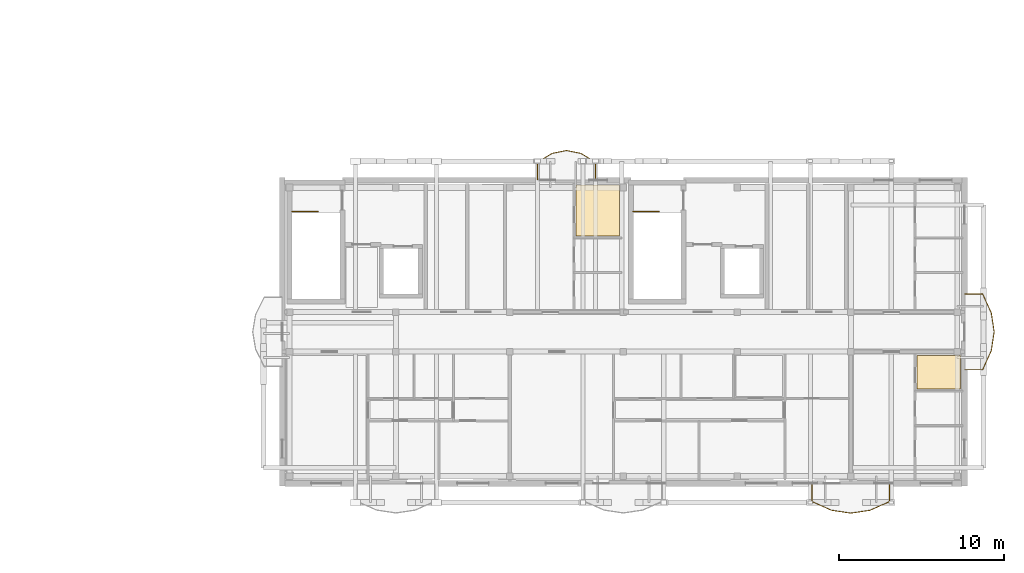
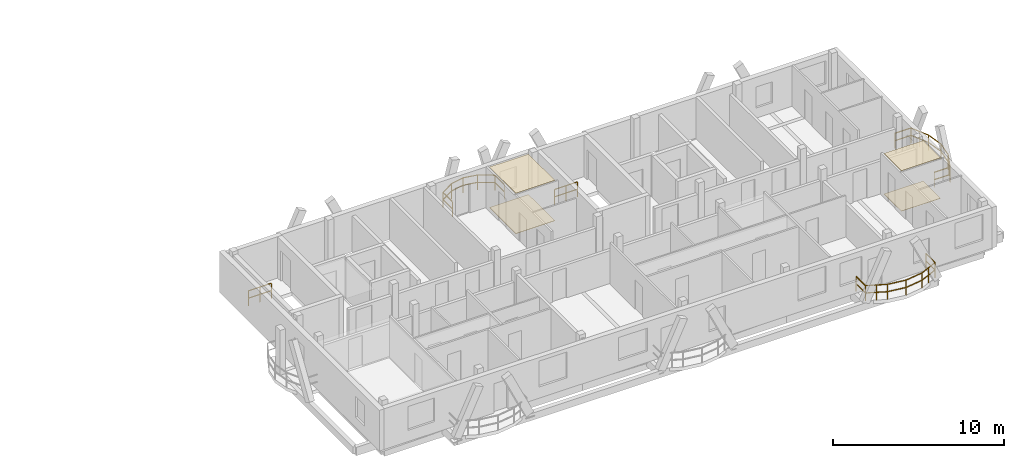
# One storey, part 39 of 41: 5 railings, 4 coverings.
"""IFC4 building model written with IfcOpenShell, lengths in metres."""

from ifc_helpers import new_model, si_unit, direction, frame, origin, origin_2d, place, context, subcontext, project, spatial, polyline, rectangle, outline, extrude, material, layer, layer_set, type_object, element, save


model = new_model("IFC4")

# Units and contexts
model_context = context("Model", 3, precision=1e-05, world=origin(), true_north=direction((0.0, 1.0)))
body_context = subcontext(model_context, "Body", "Model", "MODEL_VIEW")
ifc_project = project(units=[si_unit("LENGTHUNIT", "METRE"), si_unit("AREAUNIT", "SQUARE_METRE"), si_unit("VOLUMEUNIT", "CUBIC_METRE"), si_unit("PLANEANGLEUNIT", "RADIAN"), si_unit("MASSUNIT", "GRAM", prefix="KILO")], contexts=[model_context])

# Site, building, storey
site_placement = place(None, origin())
site = spatial("IfcSite", under=ifc_project, at=site_placement, CompositionType="ELEMENT")
building_placement = place(site_placement, origin())
building = spatial("IfcBuilding", under=site, at=building_placement, Name="Zavelmont Quarter", CompositionType="ELEMENT")
storey_placement = place(building_placement, frame((0.0, 0.0, 27.199951171875)))
storey = spatial("IfcBuildingStorey", under=building, at=storey_placement, Name="L08", CompositionType="ELEMENT", Elevation=27.199951171875)

# Coverings
ifc_material_1 = material(Name="Perforated acoustic gypsum board")
ifc_layer_1 = layer(ifc_material_1, 0.02490234375)
ifc_layer_set_1 = layer_set([ifc_layer_1], Name="Perforated acoustic gypsum board")
covering_type_1 = type_object("IfcCoveringType", Name="CV-CL01", PredefinedType="CEILING", material=ifc_layer_set_1)
covering_1_placement = place(storey_placement, frame((0.0, 0.0, 2.885009765625)))
element("IfcCovering", 1, at=covering_1_placement, inside=storey, type_object=covering_type_1, Name="L08 Kitchen acoustic ceiling", PredefinedType="CEILING", context=body_context, shape_type="SweptSolid", body=[
    extrude(outline(polyline([(165.1298828125, 7.77001953125), (167.320068359375, 7.77001953125), (167.320068359375, 7.760009765625), (167.77001953125, 7.760009765625), (167.77001953125, 5.72998046875), (165.1298828125, 5.72998046875), (165.1298828125, 7.77001953125)])), origin(), (0.0, 0.0, 1.0), 0.025146484375),
])
covering_2_placement = place(storey_placement, frame((0.0, 0.0, 2.885009765625)))
element("IfcCovering", 2, at=covering_2_placement, inside=storey, type_object=covering_type_1, Name="L08 Single Bedroom acoustic ceiling", PredefinedType="CEILING", context=body_context, shape_type="SweptSolid", body=[
    extrude(outline(polyline([(144.429931640625, 18.1201171875), (147.06005859375, 18.1201171875), (147.06005859375, 17.719970703125), (147.070068359375, 17.719970703125), (147.070068359375, 15.030029296875), (144.429931640625, 15.030029296875), (144.429931640625, 18.1201171875)])), origin(), (0.0, 0.0, 1.0), 0.025146484375),
])
ifc_material_2 = material(Name="Engineered European oak parquet")
ifc_layer_2 = layer(ifc_material_2, 0.02197265625)
ifc_layer_set_2 = layer_set([ifc_layer_2], Name="Engineered European oak parquet")
covering_type_2 = type_object("IfcCoveringType", Name="CV-FL01", PredefinedType="FLOORING", material=ifc_layer_set_2)
covering_3_placement = place(storey_placement, origin())
element("IfcCovering", 3, at=covering_3_placement, inside=storey, type_object=covering_type_2, Name="L08 Kitchen floor finish", PredefinedType="FLOORING", context=body_context, shape_type="SweptSolid", body=[
    extrude(outline(polyline([(165.1298828125, 7.77001953125), (167.320068359375, 7.77001953125), (167.320068359375, 7.760009765625), (167.77001953125, 7.760009765625), (167.77001953125, 5.72998046875), (165.1298828125, 5.72998046875), (165.1298828125, 7.77001953125)])), origin(), (0.0, 0.0, 1.0), 0.02197265625),
])
covering_4_placement = place(storey_placement, origin())
element("IfcCovering", 4, at=covering_4_placement, inside=storey, type_object=covering_type_2, Name="L08 Single Bedroom floor finish", PredefinedType="FLOORING", context=body_context, shape_type="SweptSolid", body=[
    extrude(outline(polyline([(144.429931640625, 18.1201171875), (147.06005859375, 18.1201171875), (147.06005859375, 17.719970703125), (147.070068359375, 17.719970703125), (147.070068359375, 15.030029296875), (144.429931640625, 15.030029296875), (144.429931640625, 18.1201171875)])), origin(), (0.0, 0.0, 1.0), 0.02197265625),
])

# Railings
ifc_material_3 = material(Name="Powder-coated steel and tempered double safety glass", Category="steel")
railing_type_1 = type_object("IfcRailingType", Name="RL-BAL1", PredefinedType="BALUSTRADE", material=ifc_material_3)
railing_1_placement = place(storey_placement, frame((158.747314453125, -0.02001953125, 0.0)))
element("IfcRailing", 5, at=railing_1_placement, inside=storey, type_object=railing_type_1, Name="L08 Block D curved balcony guard RL-BAL1", PredefinedType="BALUSTRADE", context=body_context, shape_type="SweptSolid", body=[
    extrude(rectangle(XDim=0.048095703125, YDim=0.048095703125, at=origin_2d()), frame((0.0, 0.0, 1.076171875), z_axis=(0.0, -1.0, 0.0), x_axis=(1.0, 0.0, 0.0)), (0.0, 0.0, 1.0), 1.080078125),
    extrude(rectangle(XDim=0.048095703125, YDim=0.048095703125, at=origin_2d()), frame((0.0, 0.0, 0.550048828125), z_axis=(0.0, -1.0, 0.0), x_axis=(1.0, 0.0, 0.0)), (0.0, 0.0, 1.0), 1.080078125),
    extrude(rectangle(XDim=0.048095703125, YDim=0.048095703125, at=origin_2d()), frame((0.0, -1.080078125, 1.076171875), z_axis=(0.912141000851, -0.409876560158, 0.0), x_axis=(0.409876560158, 0.912141000851, 0.0)), (0.0, 0.0, 1.0), 1.28955078125),
    extrude(rectangle(XDim=0.048095703125, YDim=0.048095703125, at=origin_2d()), frame((0.0, -1.080078125, 0.550048828125), z_axis=(0.912141000851, -0.409876560158, 0.0), x_axis=(0.409876560158, 0.912141000851, 0.0)), (0.0, 0.0, 1.0), 1.28955078125),
    extrude(rectangle(XDim=0.048095703125, YDim=0.048095703125, at=origin_2d()), frame((1.17626953125, -1.608642578125, 1.076171875), z_axis=(0.988961928108, -0.148169851026, 0.0), x_axis=(0.148169851026, 0.988961928108, 0.0)), (0.0, 0.0, 1.0), 1.189697265625),
    extrude(rectangle(XDim=0.048095703125, YDim=0.048095703125, at=origin_2d()), frame((1.17626953125, -1.608642578125, 0.550048828125), z_axis=(0.988961928108, -0.148169851026, 0.0), x_axis=(0.148169851026, 0.988961928108, 0.0)), (0.0, 0.0, 1.0), 1.189697265625),
    extrude(rectangle(XDim=0.048095703125, YDim=0.048095703125, at=origin_2d()), frame((2.352783203125, -1.784912109375, 1.076171875), z_axis=(0.988957421243, 0.148199929045, 0.0), x_axis=(-0.148199929045, 0.988957421243, 0.0)), (0.0, 0.0, 1.0), 1.189453125),
    extrude(rectangle(XDim=0.048095703125, YDim=0.048095703125, at=origin_2d()), frame((2.352783203125, -1.784912109375, 0.550048828125), z_axis=(0.988957421243, 0.148199929045, 0.0), x_axis=(-0.148199929045, 0.988957421243, 0.0)), (0.0, 0.0, 1.0), 1.189453125),
    extrude(rectangle(XDim=0.048095703125, YDim=0.048095703125, at=origin_2d()), frame((3.529052734375, -1.608642578125, 1.076171875), z_axis=(0.912141000851, 0.409876560158, 0.0), x_axis=(-0.409876560158, 0.912141000851, 0.0)), (0.0, 0.0, 1.0), 1.28955078125),
    extrude(rectangle(XDim=0.048095703125, YDim=0.048095703125, at=origin_2d()), frame((3.529052734375, -1.608642578125, 0.550048828125), z_axis=(0.912141000851, 0.409876560158, 0.0), x_axis=(-0.409876560158, 0.912141000851, 0.0)), (0.0, 0.0, 1.0), 1.28955078125),
    extrude(rectangle(XDim=0.048095703125, YDim=0.048095703125, at=origin_2d()), frame((4.705322265625, -1.080078125, 1.076171875), z_axis=(0.0, 1.0, 0.0), x_axis=(-1.0, 0.0, 0.0)), (0.0, 0.0, 1.0), 1.080078125),
    extrude(rectangle(XDim=0.048095703125, YDim=0.048095703125, at=origin_2d()), frame((4.705322265625, -1.080078125, 0.550048828125), z_axis=(0.0, 1.0, 0.0), x_axis=(-1.0, 0.0, 0.0)), (0.0, 0.0, 1.0), 1.080078125),
    extrude(rectangle(XDim=0.0419921875, YDim=0.0419921875, at=origin_2d()), origin(), (0.0, 0.0, 1.0), 1.052001953125),
    extrude(rectangle(XDim=0.0419921875, YDim=0.0419921875, at=origin_2d()), frame((0.0, -1.080078125, 0.0)), (0.0, 0.0, 1.0), 1.052001953125),
    extrude(rectangle(XDim=0.0419921875, YDim=0.0419921875, at=origin_2d()), frame((0.588134765625, -1.34423828125, 0.0)), (0.0, 0.0, 1.0), 1.052001953125),
    extrude(rectangle(XDim=0.0419921875, YDim=0.0419921875, at=origin_2d()), frame((1.17626953125, -1.608642578125, 0.0)), (0.0, 0.0, 1.0), 1.052001953125),
    extrude(rectangle(XDim=0.0419921875, YDim=0.0419921875, at=origin_2d()), frame((2.352783203125, -1.784912109375, 0.0)), (0.0, 0.0, 1.0), 1.052001953125),
    extrude(rectangle(XDim=0.0419921875, YDim=0.0419921875, at=origin_2d()), frame((3.529052734375, -1.608642578125, 0.0)), (0.0, 0.0, 1.0), 1.052001953125),
    extrude(rectangle(XDim=0.0419921875, YDim=0.0419921875, at=origin_2d()), frame((4.1171875, -1.34423828125, 0.0)), (0.0, 0.0, 1.0), 1.052001953125),
    extrude(rectangle(XDim=0.0419921875, YDim=0.0419921875, at=origin_2d()), frame((4.705322265625, -1.080078125, 0.0)), (0.0, 0.0, 1.0), 1.052001953125),
    extrude(rectangle(XDim=0.0419921875, YDim=0.0419921875, at=origin_2d()), frame((4.705322265625, 0.0, 0.0)), (0.0, 0.0, 1.0), 1.052001953125),
])
railing_2_placement = place(storey_placement, frame((168.02001953125, 6.898681640625, 0.0)))
element("IfcRailing", 6, at=railing_2_placement, inside=storey, type_object=railing_type_1, Name="L08 Block D curved balcony guard RL-BAL1", PredefinedType="BALUSTRADE", context=body_context, shape_type="SweptSolid", body=[
    extrude(rectangle(XDim=0.048095703125, YDim=0.048095703125, at=origin_2d()), frame((0.0, 0.0, 1.076171875), z_axis=(1.0, 0.0, 0.0), x_axis=(0.0, 1.0, 0.0)), (0.0, 0.0, 1.0), 1.080078125),
    extrude(rectangle(XDim=0.048095703125, YDim=0.048095703125, at=origin_2d()), frame((0.0, 0.0, 0.550048828125), z_axis=(1.0, 0.0, 0.0), x_axis=(0.0, 1.0, 0.0)), (0.0, 0.0, 1.0), 1.080078125),
    extrude(rectangle(XDim=0.048095703125, YDim=0.048095703125, at=origin_2d()), frame((1.080078125, 0.0, 1.076171875), z_axis=(0.417431326634, 0.908708472253, 0.0), x_axis=(-0.908708472253, 0.417431326634, 0.0)), (0.0, 0.0, 1.0), 1.26611328125),
    extrude(rectangle(XDim=0.048095703125, YDim=0.048095703125, at=origin_2d()), frame((1.080078125, 0.0, 0.550048828125), z_axis=(0.417431326634, 0.908708472253, 0.0), x_axis=(-0.908708472253, 0.417431326634, 0.0)), (0.0, 0.0, 1.0), 1.26611328125),
    extrude(rectangle(XDim=0.048095703125, YDim=0.048095703125, at=origin_2d()), frame((1.608642578125, 1.150634765625, 1.076171875), z_axis=(0.151426744001, 0.988468482654, 0.0), x_axis=(-0.988468482654, 0.151426744001, 0.0)), (0.0, 0.0, 1.0), 1.1640625),
    extrude(rectangle(XDim=0.048095703125, YDim=0.048095703125, at=origin_2d()), frame((1.608642578125, 1.150634765625, 0.550048828125), z_axis=(0.151426744001, 0.988468482654, 0.0), x_axis=(-0.988468482654, 0.151426744001, 0.0)), (0.0, 0.0, 1.0), 1.1640625),
    extrude(rectangle(XDim=0.048095703125, YDim=0.048095703125, at=origin_2d()), frame((1.784912109375, 2.30126953125, 1.076171875), z_axis=(-0.151426744001, 0.988468482654, 0.0), x_axis=(-0.988468482654, -0.151426744001, 0.0)), (0.0, 0.0, 1.0), 1.1640625),
    extrude(rectangle(XDim=0.048095703125, YDim=0.048095703125, at=origin_2d()), frame((1.784912109375, 2.30126953125, 0.550048828125), z_axis=(-0.151426744001, 0.988468482654, 0.0), x_axis=(-0.988468482654, -0.151426744001, 0.0)), (0.0, 0.0, 1.0), 1.1640625),
    extrude(rectangle(XDim=0.048095703125, YDim=0.048095703125, at=origin_2d()), frame((1.608642578125, 3.451904296875, 1.076171875), z_axis=(-0.417431326634, 0.908708472253, 0.0), x_axis=(-0.908708472253, -0.417431326634, 0.0)), (0.0, 0.0, 1.0), 1.26611328125),
    extrude(rectangle(XDim=0.048095703125, YDim=0.048095703125, at=origin_2d()), frame((1.608642578125, 3.451904296875, 0.550048828125), z_axis=(-0.417431326634, 0.908708472253, 0.0), x_axis=(-0.908708472253, -0.417431326634, 0.0)), (0.0, 0.0, 1.0), 1.26611328125),
    extrude(rectangle(XDim=0.048095703125, YDim=0.048095703125, at=origin_2d()), frame((1.080078125, 4.6025390625, 1.076171875), z_axis=(-1.0, 0.0, 0.0), x_axis=(0.0, -1.0, 0.0)), (0.0, 0.0, 1.0), 1.080078125),
    extrude(rectangle(XDim=0.048095703125, YDim=0.048095703125, at=origin_2d()), frame((1.080078125, 4.6025390625, 0.550048828125), z_axis=(-1.0, 0.0, 0.0), x_axis=(0.0, -1.0, 0.0)), (0.0, 0.0, 1.0), 1.080078125),
    extrude(rectangle(XDim=0.0419921875, YDim=0.0419921875, at=origin_2d()), origin(), (0.0, 0.0, 1.0), 1.052001953125),
    extrude(rectangle(XDim=0.0419921875, YDim=0.0419921875, at=origin_2d()), frame((1.080078125, 0.0, 0.0)), (0.0, 0.0, 1.0), 1.052001953125),
    extrude(rectangle(XDim=0.0419921875, YDim=0.0419921875, at=origin_2d()), frame((1.34423828125, 0.5751953125, 0.0)), (0.0, 0.0, 1.0), 1.052001953125),
    extrude(rectangle(XDim=0.0419921875, YDim=0.0419921875, at=origin_2d()), frame((1.608642578125, 1.150634765625, 0.0)), (0.0, 0.0, 1.0), 1.052001953125),
    extrude(rectangle(XDim=0.0419921875, YDim=0.0419921875, at=origin_2d()), frame((1.784912109375, 2.30126953125, 0.0)), (0.0, 0.0, 1.0), 1.052001953125),
    extrude(rectangle(XDim=0.0419921875, YDim=0.0419921875, at=origin_2d()), frame((1.608642578125, 3.451904296875, 0.0)), (0.0, 0.0, 1.0), 1.052001953125),
    extrude(rectangle(XDim=0.0419921875, YDim=0.0419921875, at=origin_2d()), frame((1.34423828125, 4.02734375, 0.0)), (0.0, 0.0, 1.0), 1.052001953125),
    extrude(rectangle(XDim=0.0419921875, YDim=0.0419921875, at=origin_2d()), frame((1.080078125, 4.6025390625, 0.0)), (0.0, 0.0, 1.0), 1.052001953125),
    extrude(rectangle(XDim=0.0419921875, YDim=0.0419921875, at=origin_2d()), frame((0.0, 4.6025390625, 0.0)), (0.0, 0.0, 1.0), 1.052001953125),
])
railing_3_placement = place(storey_placement, frame((145.60546875, 18.419921875, 0.0)))
element("IfcRailing", 7, at=railing_3_placement, inside=storey, type_object=railing_type_1, Name="L08 Block D curved balcony guard RL-BAL1", PredefinedType="BALUSTRADE", context=body_context, shape_type="SweptSolid", body=[
    extrude(rectangle(XDim=0.048095703125, YDim=0.048095703125, at=origin_2d()), frame((0.0, 0.0, 1.076171875), z_axis=(0.0, 1.0, 0.0), x_axis=(-1.0, 0.0, 0.0)), (0.0, 0.0, 1.0), 1.080078125),
    extrude(rectangle(XDim=0.048095703125, YDim=0.048095703125, at=origin_2d()), frame((0.0, 0.0, 0.550048828125), z_axis=(0.0, 1.0, 0.0), x_axis=(-1.0, 0.0, 0.0)), (0.0, 0.0, 1.0), 1.080078125),
    extrude(rectangle(XDim=0.048095703125, YDim=0.048095703125, at=origin_2d()), frame((0.0, 1.080078125, 1.076171875), z_axis=(-0.856545442933, 0.51607160762, 0.0), x_axis=(-0.51607160762, -0.856545442933, 0.0)), (0.0, 0.0, 1.0), 1.024658203125),
    extrude(rectangle(XDim=0.048095703125, YDim=0.048095703125, at=origin_2d()), frame((0.0, 1.080078125, 0.550048828125), z_axis=(-0.856545442933, 0.51607160762, 0.0), x_axis=(-0.51607160762, -0.856545442933, 0.0)), (0.0, 0.0, 1.0), 1.024658203125),
    extrude(rectangle(XDim=0.048095703125, YDim=0.048095703125, at=origin_2d()), frame((-0.877685546875, 1.60888671875, 1.076171875), z_axis=(-0.980423022525, 0.196902760018, 0.0), x_axis=(-0.196902760018, -0.980423022525, 0.0)), (0.0, 0.0, 1.0), 0.895263671875),
    extrude(rectangle(XDim=0.048095703125, YDim=0.048095703125, at=origin_2d()), frame((-0.877685546875, 1.60888671875, 0.550048828125), z_axis=(-0.980423022525, 0.196902760018, 0.0), x_axis=(-0.196902760018, -0.980423022525, 0.0)), (0.0, 0.0, 1.0), 0.895263671875),
    extrude(rectangle(XDim=0.048095703125, YDim=0.048095703125, at=origin_2d()), frame((-1.75537109375, 1.78515625, 1.076171875), z_axis=(-0.980423022525, -0.196902760018, 0.0), x_axis=(0.196902760018, -0.980423022525, 0.0)), (0.0, 0.0, 1.0), 0.895263671875),
    extrude(rectangle(XDim=0.048095703125, YDim=0.048095703125, at=origin_2d()), frame((-1.75537109375, 1.78515625, 0.550048828125), z_axis=(-0.980423022525, -0.196902760018, 0.0), x_axis=(0.196902760018, -0.980423022525, 0.0)), (0.0, 0.0, 1.0), 0.895263671875),
    extrude(rectangle(XDim=0.048095703125, YDim=0.048095703125, at=origin_2d()), frame((-2.633056640625, 1.60888671875, 1.076171875), z_axis=(-0.85660887933, -0.515966304958, 0.0), x_axis=(0.515966304958, -0.85660887933, 0.0)), (0.0, 0.0, 1.0), 1.02490234375),
    extrude(rectangle(XDim=0.048095703125, YDim=0.048095703125, at=origin_2d()), frame((-2.633056640625, 1.60888671875, 0.550048828125), z_axis=(-0.85660887933, -0.515966304958, 0.0), x_axis=(0.515966304958, -0.85660887933, 0.0)), (0.0, 0.0, 1.0), 1.02490234375),
    extrude(rectangle(XDim=0.048095703125, YDim=0.048095703125, at=origin_2d()), frame((-3.510986328125, 1.080078125, 1.076171875), z_axis=(0.0, -1.0, 0.0), x_axis=(1.0, 0.0, 0.0)), (0.0, 0.0, 1.0), 1.080078125),
    extrude(rectangle(XDim=0.048095703125, YDim=0.048095703125, at=origin_2d()), frame((-3.510986328125, 1.080078125, 0.550048828125), z_axis=(0.0, -1.0, 0.0), x_axis=(1.0, 0.0, 0.0)), (0.0, 0.0, 1.0), 1.080078125),
    extrude(rectangle(XDim=0.0419921875, YDim=0.0419921875, at=origin_2d()), origin(), (0.0, 0.0, 1.0), 1.052001953125),
    extrude(rectangle(XDim=0.0419921875, YDim=0.0419921875, at=origin_2d()), frame((0.0, 1.080078125, 0.0)), (0.0, 0.0, 1.0), 1.052001953125),
    extrude(rectangle(XDim=0.0419921875, YDim=0.0419921875, at=origin_2d()), frame((-0.877685546875, 1.60888671875, 0.0)), (0.0, 0.0, 1.0), 1.052001953125),
    extrude(rectangle(XDim=0.0419921875, YDim=0.0419921875, at=origin_2d()), frame((-1.75537109375, 1.78515625, 0.0)), (0.0, 0.0, 1.0), 1.052001953125),
    extrude(rectangle(XDim=0.0419921875, YDim=0.0419921875, at=origin_2d()), frame((-2.633056640625, 1.60888671875, 0.0)), (0.0, 0.0, 1.0), 1.052001953125),
    extrude(rectangle(XDim=0.0419921875, YDim=0.0419921875, at=origin_2d()), frame((-3.510986328125, 1.080078125, 0.0)), (0.0, 0.0, 1.0), 1.052001953125),
    extrude(rectangle(XDim=0.0419921875, YDim=0.0419921875, at=origin_2d()), frame((-3.510986328125, 0.0, 0.0)), (0.0, 0.0, 1.0), 1.052001953125),
])
ifc_material_4 = material(Name="Powder-coated steel stair guardrail", Category="steel")
railing_type_2 = type_object("IfcRailingType", Name="RL-GRD1", PredefinedType="GUARDRAIL", material=ifc_material_4)
for number, where, name in (
    (8, (127.199951171875, 16.5, 0.0), "L08 ST07 top well guardrail 1"),
    (9, (147.89990234375, 16.5, 0.0), "L08 ST08 top well guardrail 1"),
):
    element("IfcRailing", number, at=place(storey_placement, frame(where)), inside=storey, type_object=railing_type_2, Name=name, PredefinedType="GUARDRAIL", context=body_context, shape_type="SweptSolid", body=[
        extrude(rectangle(XDim=0.048095703125, YDim=0.048095703125, at=origin_2d()), frame((0.0, 0.0, 1.076171875), z_axis=(1.0, 0.0, 0.0), x_axis=(0.0, 1.0, 0.0)), (0.0, 0.0, 1.0), 1.550048828125),
        extrude(rectangle(XDim=0.048095703125, YDim=0.048095703125, at=origin_2d()), frame((0.0, 0.0, 0.550048828125), z_axis=(1.0, 0.0, 0.0), x_axis=(0.0, 1.0, 0.0)), (0.0, 0.0, 1.0), 1.550048828125),
        extrude(rectangle(XDim=0.0419921875, YDim=0.0419921875, at=origin_2d()), origin(), (0.0, 0.0, 1.0), 1.052001953125),
        extrude(rectangle(XDim=0.0419921875, YDim=0.0419921875, at=origin_2d()), frame((0.77490234375, 0.0, 0.0)), (0.0, 0.0, 1.0), 1.052001953125),
        extrude(rectangle(XDim=0.0419921875, YDim=0.0419921875, at=origin_2d()), frame((1.550048828125, 0.0, 0.0)), (0.0, 0.0, 1.0), 1.052001953125),
    ])

save(model, "model.ifc")
